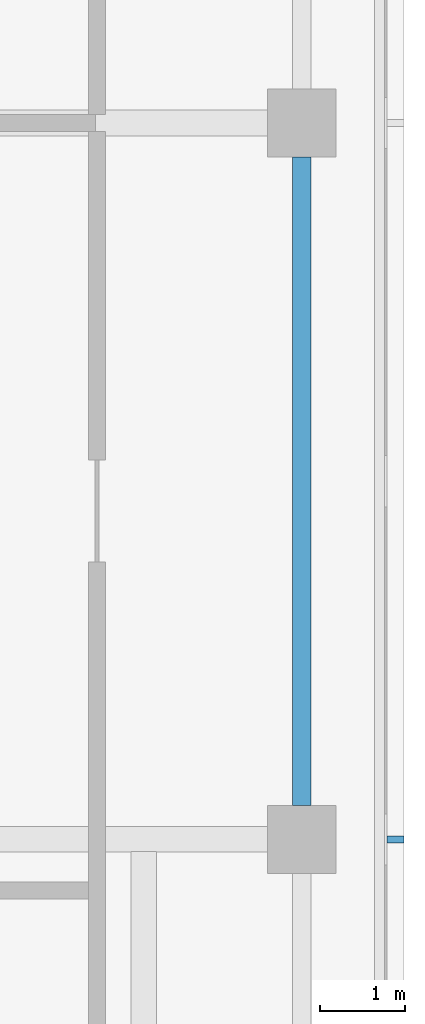
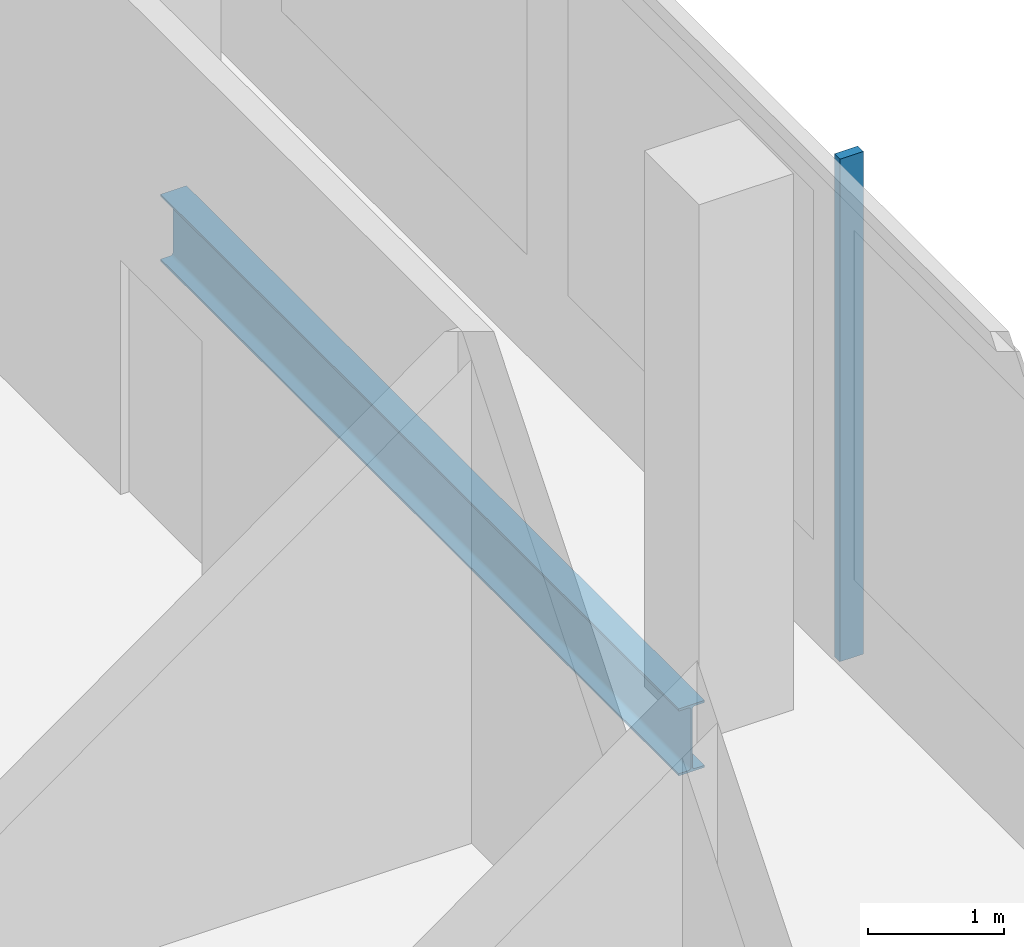
# One storey, part 14 of 39: 1 beam, 1 member, 1 element without a shape of its own.
"""IFC4 building model written with IfcOpenShell, lengths in metres."""

from ifc_helpers import new_model, si_unit, direction, frame, origin, origin_2d, place, context, subcontext, project, spatial, rectangle, i_section, extrude, material, material_profile, profile_set, type_object, element, aggregate, save


model = new_model("IFC4")

# Units and contexts
model_context = context("Model", 3, precision=1e-05, world=origin(), true_north=direction((0.0, 1.0)))
body_context = subcontext(model_context, "Body", "Model", "MODEL_VIEW")
ifc_project = project(units=[si_unit("LENGTHUNIT", "METRE"), si_unit("AREAUNIT", "SQUARE_METRE"), si_unit("VOLUMEUNIT", "CUBIC_METRE"), si_unit("PLANEANGLEUNIT", "RADIAN"), si_unit("MASSUNIT", "GRAM", prefix="KILO")], contexts=[model_context])

# Site, building, storey
site_placement = place(None, origin())
site = spatial("IfcSite", under=ifc_project, at=site_placement, CompositionType="ELEMENT")
building_placement = place(site_placement, origin())
building = spatial("IfcBuilding", under=site, at=building_placement, Name="Saffron Gate Tower", CompositionType="ELEMENT")
storey_placement = place(building_placement, frame((0.0, 0.0, 14.39990234375)))
storey = spatial("IfcBuildingStorey", under=building, at=storey_placement, Name="L02", CompositionType="ELEMENT", Elevation=14.39990234375)

# Beam
ifc_material_1 = material(Name="Structural steel S355", Category="steel")
ifc_material_profile_1 = material_profile(ifc_material_1, i_section(OverallWidth=0.219970703125, OverallDepth=0.60009765625, WebThickness=0.011962890625, FlangeThickness=0.01904296875, FilletRadius=0.02392578125, at=origin_2d()))
ifc_profile_set_1 = profile_set([ifc_material_profile_1], Name="Structural steel S355")
beam_type = type_object("IfcBeamType", Name="B15 IPE 600", PredefinedType="BEAM", material=ifc_profile_set_1)
beam_placement = place(storey_placement, frame((142.199951171875, 49.0, -0.599853515625), z_axis=(0.0, 1.0, 0.0), x_axis=(-1.0, 0.0, 0.0)))
element("IfcBeam", 1, at=beam_placement, inside=storey, type_object=beam_type, Name="B15 PODIUM EDGE BEAM", PredefinedType="BEAM", context=body_context, shape_type="SweptSolid", body=[
    extrude(i_section(OverallWidth=0.219970703125, OverallDepth=0.60009765625, WebThickness=0.011962890625, FlangeThickness=0.01904296875, FilletRadius=0.02392578125, at=origin_2d()), origin(), (0.0, 0.0, 1.0), 7.60009765625),
])

# Curtain wall, member
ifc_material_2 = material(Name="Aluminium, bronze anodised", Category="aluminium")
curtain_wall_type = type_object("IfcCurtainWallType", Name="CWS5 curtain wall podium ring base", PredefinedType="NOTDEFINED", material=ifc_material_2)
curtain_wall_placement = place(storey_placement, origin())
curtain_wall = element("IfcCurtainWall", 2, at=curtain_wall_placement, inside=storey, type_object=curtain_wall_type, Name="CWS5 run 2", PredefinedType="NOTDEFINED")
ifc_material_profile_2 = material_profile(ifc_material_2, rectangle(XDim=0.199951171875, YDim=0.080078125, at=origin_2d()))
ifc_profile_set_2 = profile_set([ifc_material_profile_2], Name="Aluminium, bronze anodised")
member_type = type_object("IfcMemberType", Name="CWS5 mullion 80x200", PredefinedType="MULLION", material=ifc_profile_set_2)
member_placement = place(storey_placement, frame((143.300048828125, 48.60009765625, 0.0), z_axis=(0.0, 0.0, 1.0), x_axis=(-1.0, 0.0, 0.0)))
member = element("IfcMember", 3, at=member_placement, type_object=member_type, Name="CWS5 mullion 5", PredefinedType="MULLION", context=body_context, shape_type="SweptSolid", body=[
    extrude(rectangle(XDim=0.199951171875, YDim=0.080078125, at=origin_2d()), origin(), (0.0, 0.0, 1.0), 4.5),
])
aggregate(curtain_wall, [member])

save(model, "model.ifc")
